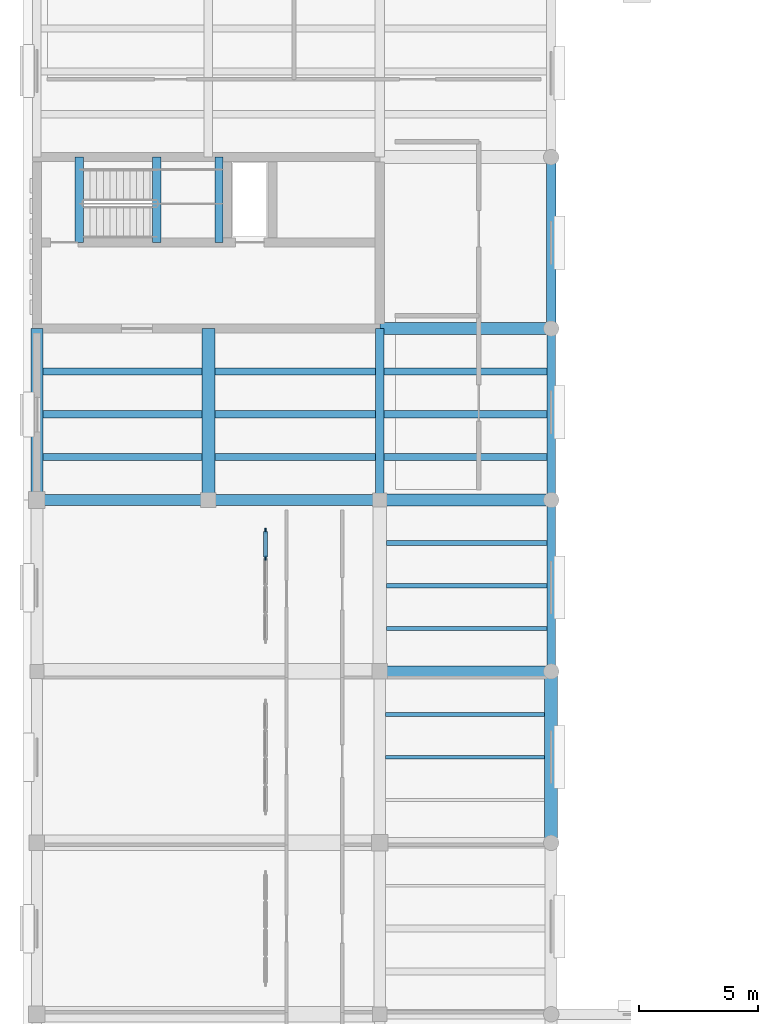
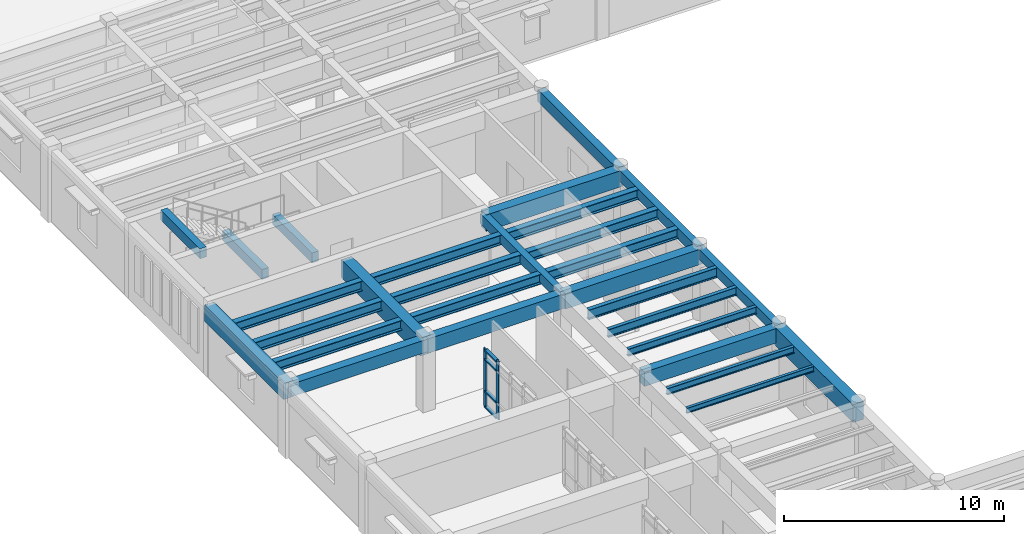
# One storey, part 5 of 66: 29 beams, 6 members, 1 element without a shape of its own.
"""IFC4 building model written with IfcOpenShell, lengths in metres."""

import ifcopenshell
import ifcopenshell.guid

model = None  # the IFC model being written
_history = None  # IfcOwnerHistory: only IFC2X3 demands one
_inside = {}  # id of a spatial element -> (the spatial element, [elements in it])
_under = {}  # id of a project, library or spatial element -> (it, [spatial elements below it])
_declared = {}  # id of a project -> (the project, [libraries it declares])
_typed = {}  # id of a type object -> (the type object, [elements of that type])
_made_of = {}  # id of a material, layer set ... -> (it, [elements and type objects made of it])


def new_model(schema):
    """Start an empty IFC model of exactly this schema.

    Asked for "IFC4X3", IfcOpenShell would pick the latest addendum, in which some entities
    have other attributes; the version numbers below select the first issue.
    IFC2X3 requires an IfcOwnerHistory on every rooted entity: one is made here for all.
    """
    global model, _history
    if schema == "IFC4X3":
        model = ifcopenshell.file(schema_version=(4, 3, 0, 0))
    else:
        model = ifcopenshell.file(schema=schema)
    _inside.clear()
    _under.clear()
    _declared.clear()
    _typed.clear()
    _made_of.clear()
    _history = None
    if model.schema == "IFC2X3":
        org = make("IfcOrganization", Name="unknown")
        user = make(
            "IfcPersonAndOrganization",
            ThePerson=make("IfcPerson", FamilyName="unknown"),
            TheOrganization=org,
        )
        app = make(
            "IfcApplication",
            ApplicationDeveloper=org,
            Version="unknown",
            ApplicationFullName="unknown",
            ApplicationIdentifier="unknown",
        )
        _history = make(
            "IfcOwnerHistory",
            OwningUser=user,
            OwningApplication=app,
            ChangeAction="ADDED",
            CreationDate=0,
        )
    return model


def make(cls, **values):
    """One entity of the class cls with the attributes given. An attribute that is None is left unset."""
    return model.create_entity(
        cls, **{name: value for name, value in values.items() if value is not None}
    )


def rooted(cls, **values):
    """An entity with a GlobalId (a new one), such as an element, a storey or a relation."""
    return make(cls, GlobalId=ifcopenshell.guid.new(), OwnerHistory=_history, **values)


def si_unit(unit_type, name, prefix=None):
    """IfcSIUnit, for example si_unit("LENGTHUNIT", "METRE", prefix="MILLI")."""
    return make("IfcSIUnit", UnitType=unit_type, Prefix=prefix, Name=name)


def assignment(units):
    """IfcUnitAssignment: the units of a project."""
    return None if units is None else make("IfcUnitAssignment", Units=units)


def point(xyz):
    """IfcCartesianPoint."""
    return None if xyz is None else make("IfcCartesianPoint", Coordinates=xyz)


def direction(xyz):
    """IfcDirection."""
    return None if xyz is None else make("IfcDirection", DirectionRatios=xyz)


def frame(location, z_axis=None, x_axis=None):
    """IfcAxis2Placement3D, a coordinate frame: its origin and axes. An axis left out is left unset."""
    return make(
        "IfcAxis2Placement3D",
        Location=point(location),
        Axis=direction(z_axis),
        RefDirection=direction(x_axis),
    )


def frame_2d(location, x_axis=None):
    """IfcAxis2Placement2D, a coordinate frame in the plane: its origin and x axis."""
    return make(
        "IfcAxis2Placement2D", Location=point(location), RefDirection=direction(x_axis)
    )


def origin():
    """The frame at (0, 0, 0) with its axes left unset."""
    return frame((0.0, 0.0, 0.0))


def origin_2d():
    """The frame at (0, 0) in the plane with its x axis left unset."""
    return frame_2d((0.0, 0.0))


def place(relative_to, where):
    """IfcLocalPlacement: puts the frame where relative to a parent placement (None: the world)."""
    return make(
        "IfcLocalPlacement", PlacementRelTo=relative_to, RelativePlacement=where
    )


def context(
    kind, dimensions, precision=None, world=None, true_north=None, identifier=None
):
    """IfcGeometricRepresentationContext, for example the 3D "Model" context."""
    return make(
        "IfcGeometricRepresentationContext",
        ContextIdentifier=identifier,
        ContextType=kind,
        CoordinateSpaceDimension=dimensions,
        Precision=precision,
        WorldCoordinateSystem=world,
        TrueNorth=true_north,
    )


def subcontext(parent, identifier, kind, view, scale=None):
    """IfcGeometricRepresentationSubContext, for example "Body" below "Model"."""
    return make(
        "IfcGeometricRepresentationSubContext",
        ContextIdentifier=identifier,
        ContextType=kind,
        ParentContext=parent,
        TargetScale=scale,
        TargetView=view,
    )


def project(units=None, contexts=None):
    """IfcProject with its units and contexts."""
    return rooted(
        "IfcProject",
        Name="project",
        RepresentationContexts=contexts,
        UnitsInContext=assignment(units),
    )


def spatial(cls, under=None, at=None, **own):
    """A site, building, storey or space (cls), placed at a placement, below another one or the project."""
    s = rooted(cls, ObjectPlacement=at, **own)
    if under is not None:
        _under.setdefault(under.id(), (under, []))[1].append(s)
    return s


def profile(cls, at=None, kind="AREA", **sizes):
    """A parametric profile (cls). Its sizes go by their IFC names, for example OverallWidth=200.0."""
    return make(cls, ProfileType=kind, Position=at, **sizes)


def rectangle(**sizes):
    """IfcRectangleProfileDef."""
    return profile("IfcRectangleProfileDef", **sizes)


def i_section(**sizes):
    """IfcIShapeProfileDef."""
    return profile("IfcIShapeProfileDef", **sizes)


def extrude(swept, where, along, depth):
    """IfcExtrudedAreaSolid: the profile swept, set in the frame where, extruded along a direction by depth."""
    return make(
        "IfcExtrudedAreaSolid",
        SweptArea=swept,
        Position=where,
        ExtrudedDirection=direction(along),
        Depth=depth,
    )


def shape(context_of_items, identifier, shape_type, items):
    """IfcShapeRepresentation: the items that make up one representation, for example the "Body"."""
    return make(
        "IfcShapeRepresentation",
        ContextOfItems=context_of_items,
        RepresentationIdentifier=identifier,
        RepresentationType=shape_type,
        Items=items,
    )


def material(Name=None, Category=None):
    """IfcMaterial."""
    return make("IfcMaterial", Name=Name, Category=Category)


def material_profile(
    of_material, cross_section, Name=None, Category=None, Priority=None
):
    """IfcMaterialProfile: a cross section and its material."""
    return make(
        "IfcMaterialProfile",
        Name=Name,
        Material=of_material,
        Profile=cross_section,
        Priority=Priority,
        Category=Category,
    )


def profile_set(profiles, Name=None, composite=None):
    """IfcMaterialProfileSet."""
    return make(
        "IfcMaterialProfileSet",
        Name=Name,
        MaterialProfiles=profiles,
        CompositeProfile=composite,
    )


def made_of(thing, what):
    """Note that an element or type object is made of a material, layer set ...; save() writes the relation."""
    if what is not None:
        _made_of.setdefault(what.id(), (what, []))[1].append(thing)
    return thing


def type_object(cls, material=None, **own):
    """A type object (cls), such as IfcWallType, which elements share."""
    return made_of(rooted(cls, **own), material)


def element(
    cls,
    number,
    at=None,
    inside=None,
    cuts=None,
    type_object=None,
    material=None,
    context=None,
    identifier="Body",
    shape_type=None,
    held_by="IfcProductDefinitionShape",
    body=None,
    shapes=None,
    **own,
):
    """One element of the class cls, such as IfcWall. Its Tag is "e" and its number.

    at: its placement. inside: the storey or other place that contains it. cuts: it is an
    opening in that element (IfcRelVoidsElement). A single representation is given by context,
    identifier, shape_type and body (its items); several are given by shapes. held_by: the class
    of the entity that holds the representations. save() writes the other relations.
    """
    e = rooted(cls, Tag="e%d" % number, ObjectPlacement=at, **own)
    if body is not None:
        shapes = [shape(context, identifier, shape_type, body)]
    if shapes is not None:
        e.Representation = make(held_by, Representations=shapes)
    if inside is not None:
        _inside.setdefault(inside.id(), (inside, []))[1].append(e)
    if cuts is not None:
        rooted(
            "IfcRelVoidsElement", RelatingBuildingElement=cuts, RelatedOpeningElement=e
        )
    if type_object is not None:
        _typed.setdefault(type_object.id(), (type_object, []))[1].append(e)
    return made_of(e, material)


def aggregate(whole, parts):
    """IfcRelAggregates: a whole, such as a stair, and the parts it consists of."""
    return rooted("IfcRelAggregates", RelatingObject=whole, RelatedObjects=parts)


def save(model, path):
    """Write the relations noted so far, then the file.

    IfcRelAggregates (storeys below a building ...), IfcRelContainedInSpatialStructure (elements
    in a storey), IfcRelDefinesByType, IfcRelAssociatesMaterial and IfcRelDeclares: one each for
    every whole, place, type object, material and project.
    """
    for whole, parts in _under.values():
        aggregate(whole, parts)
    for where, things in _inside.values():
        rooted(
            "IfcRelContainedInSpatialStructure",
            RelatedElements=things,
            RelatingStructure=where,
        )
    for kind, things in _typed.values():
        rooted("IfcRelDefinesByType", RelatedObjects=things, RelatingType=kind)
    for what, things in _made_of.values():
        rooted("IfcRelAssociatesMaterial", RelatedObjects=things, RelatingMaterial=what)
    for by, libraries in _declared.values():
        rooted("IfcRelDeclares", RelatingContext=by, RelatedDefinitions=libraries)
    model.write(path)


model = new_model("IFC4")

# Units and contexts
model_context = context("Model", 3, precision=1e-05, world=origin(), true_north=direction((0.0, 1.0)))
body_context = subcontext(model_context, "Body", "Model", "MODEL_VIEW")
ifc_project = project(units=[si_unit("LENGTHUNIT", "METRE"), si_unit("AREAUNIT", "SQUARE_METRE"), si_unit("VOLUMEUNIT", "CUBIC_METRE"), si_unit("PLANEANGLEUNIT", "RADIAN"), si_unit("MASSUNIT", "GRAM", prefix="KILO")], contexts=[model_context])

# Site, building, storey
site_placement = place(None, origin())
site = spatial("IfcSite", under=ifc_project, at=site_placement, CompositionType="ELEMENT")
building_placement = place(site_placement, origin())
building = spatial("IfcBuilding", under=site, at=building_placement, Name="Mithqara Police Headquarters", CompositionType="ELEMENT")
storey_placement = place(building_placement, frame((0.0, 0.0, 9.60009765625)))
storey = spatial("IfcBuildingStorey", under=building, at=storey_placement, Name="L02", CompositionType="ELEMENT", Elevation=9.60009765625)

# Beams
ifc_material_1 = material(Name="Steel S355JR", Category="steel")
ifc_material_profile_1 = material_profile(ifc_material_1, i_section(OverallWidth=0.300048828125, OverallDepth=0.550048828125, WebThickness=0.014892578125, FlangeThickness=0.029052734375, FilletRadius=0.027099609375, at=origin_2d()), Name="HEB 550")
ifc_profile_set_1 = profile_set([ifc_material_profile_1], Name="Steel S355JR")
beam_type_1 = type_object("IfcBeamType", Name="BEAM HEB550", PredefinedType="BEAM", material=ifc_profile_set_1)
for number, where, z_axis, x_axis, name in (
    (1, (8.050048828125, 58.800048828125, 3.664794921875), (1.0, 0.0, 0.0), (0.0, 1.0, 0.0), "L02 Composite Steel Joist 2-3/J.1"),
    (2, (8.050048828125, 60.60009765625, 3.664794921875), (1.0, 0.0, 0.0), (0.0, 1.0, 0.0), "L02 Composite Steel Joist 2-3/J.2"),
    (3, (8.050048828125, 62.39990234375, 3.664794921875), (1.0, 0.0, 0.0), (0.0, 1.0, 0.0), "L02 Composite Steel Joist 2-3/J.3"),
):
    element("IfcBeam", number, at=place(storey_placement, frame(where, z_axis=z_axis, x_axis=x_axis)), inside=storey, type_object=beam_type_1, Name=name, PredefinedType="BEAM", context=body_context, shape_type="SweptSolid", body=[
        extrude(i_section(OverallWidth=0.300048828125, OverallDepth=0.550048828125, WebThickness=0.014892578125, FlangeThickness=0.029052734375, FilletRadius=0.027099609375, at=origin_2d()), origin(), (0.0, 0.0, 1.0), 6.675048828125),
    ])
for number, where, z_axis, x_axis, name in (
    (4, (15.27490234375, 58.800048828125, 3.664794921875), (1.0, 0.0, 0.0), (0.0, 1.0, 0.0), "L02 Composite Steel Joist 3-4/J.1"),
    (5, (15.27490234375, 60.60009765625, 3.664794921875), (1.0, 0.0, 0.0), (0.0, 1.0, 0.0), "L02 Composite Steel Joist 3-4/J.2"),
    (6, (15.27490234375, 62.39990234375, 3.664794921875), (1.0, 0.0, 0.0), (0.0, 1.0, 0.0), "L02 Composite Steel Joist 3-4/J.3"),
):
    element("IfcBeam", number, at=place(storey_placement, frame(where, z_axis=z_axis, x_axis=x_axis)), inside=storey, type_object=beam_type_1, Name=name, PredefinedType="BEAM", context=body_context, shape_type="SweptSolid", body=[
        extrude(i_section(OverallWidth=0.300048828125, OverallDepth=0.550048828125, WebThickness=0.014892578125, FlangeThickness=0.029052734375, FilletRadius=0.027099609375, at=origin_2d()), origin(), (0.0, 0.0, 1.0), 6.75),
    ])
for number, where, z_axis, x_axis, name in (
    (7, (22.375, 58.800048828125, 3.664794921875), (1.0, 0.0, 0.0), (0.0, 1.0, 0.0), "L02 Composite Steel Joist 4-5/J.1"),
    (8, (22.375, 60.60009765625, 3.664794921875), (1.0, 0.0, 0.0), (0.0, 1.0, 0.0), "L02 Composite Steel Joist 4-5/J.2"),
    (9, (22.375, 62.39990234375, 3.664794921875), (1.0, 0.0, 0.0), (0.0, 1.0, 0.0), "L02 Composite Steel Joist 4-5/J.3"),
):
    element("IfcBeam", number, at=place(storey_placement, frame(where, z_axis=z_axis, x_axis=x_axis)), inside=storey, type_object=beam_type_1, Name=name, PredefinedType="BEAM", context=body_context, shape_type="SweptSolid", body=[
        extrude(i_section(OverallWidth=0.300048828125, OverallDepth=0.550048828125, WebThickness=0.014892578125, FlangeThickness=0.029052734375, FilletRadius=0.027099609375, at=origin_2d()), origin(), (0.0, 0.0, 1.0), 6.85009765625),
    ])
ifc_material_2 = material(Name="Concrete C40/50", Category="concrete")
ifc_material_profile_2 = material_profile(ifc_material_2, rectangle(XDim=0.35009765625, YDim=0.550048828125, at=origin_2d()), Name="RC 350x550")
ifc_profile_set_2 = profile_set([ifc_material_profile_2], Name="Concrete C40/50")
beam_type_2 = type_object("IfcBeamType", Name="BEAM RC350X550", PredefinedType="BEAM", material=ifc_profile_set_2)
for number, where, z_axis, x_axis, name in (
    (10, (22.199951171875, 57.0, 3.664794921875), (0.0, 1.0, 0.0), (-1.0, 0.0, 0.0), "L02 Girder 4/J-K"),
    (11, (29.39990234375, 49.800048828125, 3.664794921875), (0.0, 1.0, 0.0), (-1.0, 0.0, 0.0), "L02 Girder 5/H-J"),
):
    element("IfcBeam", number, at=place(storey_placement, frame(where, z_axis=z_axis, x_axis=x_axis)), inside=storey, type_object=beam_type_2, Name=name, PredefinedType="BEAM", context=body_context, shape_type="SweptSolid", body=[
        extrude(rectangle(XDim=0.35009765625, YDim=0.550048828125, at=origin_2d()), origin(), (0.0, 0.0, 1.0), 7.199951171875),
    ])
for number, where, z_axis, x_axis, name in (
    (12, (12.830078125, 67.820068359375, 1.635009765625), (0.0, 1.0, 0.0), (-1.0, 0.0, 0.0), "L02 ST-03 Half-Landing Bearer LF"),
    (13, (15.449951171875, 67.820068359375, 1.635009765625), (0.0, 1.0, 0.0), (-1.0, 0.0, 0.0), "L02 ST-03 Half-Landing Bearer LB"),
    (14, (9.576904296875, 67.820068359375, 3.9248046875), (0.0, 1.0, 0.0), (-1.0, 0.0, 0.0), "L02 ST-03 Stairwell Trimmer Beam"),
):
    element("IfcBeam", number, at=place(storey_placement, frame(where, z_axis=z_axis, x_axis=x_axis)), inside=storey, type_object=beam_type_2, Name=name, PredefinedType="BEAM", context=body_context, shape_type="SweptSolid", body=[
        extrude(rectangle(XDim=0.35009765625, YDim=0.550048828125, at=origin_2d()), origin(), (0.0, 0.0, 1.0), 3.579833984375),
    ])
ifc_material_profile_3 = material_profile(ifc_material_2, rectangle(XDim=0.35009765625, YDim=0.60009765625, at=origin_2d()), Name="RC 350x600")
ifc_profile_set_3 = profile_set([ifc_material_profile_3], Name="Concrete C40/50")
beam_type_3 = type_object("IfcBeamType", Name="BEAM RC350X600", PredefinedType="BEAM", material=ifc_profile_set_3)
beam_1_placement = place(storey_placement, frame((29.39990234375, 57.0, 3.639892578125), z_axis=(0.0, 1.0, 0.0), x_axis=(-1.0, 0.0, 0.0)))
element("IfcBeam", 15, at=beam_1_placement, inside=storey, type_object=beam_type_3, Name="L02 Girder 5/J-K", PredefinedType="BEAM", context=body_context, shape_type="SweptSolid", body=[
    extrude(rectangle(XDim=0.35009765625, YDim=0.60009765625, at=origin_2d()), origin(), (0.0, 0.0, 1.0), 7.199951171875),
])
ifc_material_profile_4 = material_profile(ifc_material_2, rectangle(XDim=0.39990234375, YDim=0.64990234375, at=origin_2d()), Name="RC 400x650")
ifc_profile_set_4 = profile_set([ifc_material_profile_4], Name="Concrete C40/50")
beam_type_4 = type_object("IfcBeamType", Name="BEAM RC400X650", PredefinedType="BEAM", material=ifc_profile_set_4)
beam_2_placement = place(storey_placement, frame((29.39990234375, 64.199951171875, 3.614990234375), z_axis=(0.0, 1.0, 0.0), x_axis=(-1.0, 0.0, 0.0)))
element("IfcBeam", 16, at=beam_2_placement, inside=storey, type_object=beam_type_4, Name="L02 Girder 5/K-L", PredefinedType="BEAM", context=body_context, shape_type="SweptSolid", body=[
    extrude(rectangle(XDim=0.39990234375, YDim=0.64990234375, at=origin_2d()), origin(), (0.0, 0.0, 1.0), 7.199951171875),
])
ifc_material_profile_5 = material_profile(ifc_material_2, rectangle(XDim=0.449951171875, YDim=0.699951171875, at=origin_2d()), Name="RC 450x700")
ifc_profile_set_5 = profile_set([ifc_material_profile_5], Name="Concrete C40/50")
beam_type_5 = type_object("IfcBeamType", Name="BEAM RC450X700", PredefinedType="BEAM", material=ifc_profile_set_5)
beam_3_placement = place(storey_placement, frame((7.800048828125, 57.0, 3.58984375), z_axis=(1.0, 0.0, 0.0), x_axis=(0.0, 1.0, 0.0)))
element("IfcBeam", 17, at=beam_3_placement, inside=storey, type_object=beam_type_5, Name="L02 Girder 2-3/J", PredefinedType="BEAM", context=body_context, shape_type="SweptSolid", body=[
    extrude(rectangle(XDim=0.449951171875, YDim=0.699951171875, at=origin_2d()), origin(), (0.0, 0.0, 1.0), 7.199951171875),
])
ifc_material_profile_6 = material_profile(ifc_material_2, rectangle(XDim=0.449951171875, YDim=0.800048828125, at=origin_2d()), Name="RC 450x800")
ifc_profile_set_6 = profile_set([ifc_material_profile_6], Name="Concrete C40/50")
beam_type_6 = type_object("IfcBeamType", Name="BEAM RC450X800", PredefinedType="BEAM", material=ifc_profile_set_6)
for number, where, z_axis, x_axis, name in (
    (18, (15.0, 57.0, 3.539794921875), (1.0, 0.0, 0.0), (0.0, 1.0, 0.0), "L02 Girder 3-4/J"),
    (19, (22.199951171875, 49.800048828125, 3.539794921875), (1.0, 0.0, 0.0), (0.0, 1.0, 0.0), "L02 Girder 4-5/H"),
):
    element("IfcBeam", number, at=place(storey_placement, frame(where, z_axis=z_axis, x_axis=x_axis)), inside=storey, type_object=beam_type_6, Name=name, PredefinedType="BEAM", context=body_context, shape_type="SweptSolid", body=[
        extrude(rectangle(XDim=0.449951171875, YDim=0.800048828125, at=origin_2d()), origin(), (0.0, 0.0, 1.0), 7.199951171875),
    ])
ifc_material_profile_7 = material_profile(ifc_material_2, rectangle(XDim=0.5, YDim=0.85009765625, at=origin_2d()), Name="RC 500x850")
ifc_profile_set_7 = profile_set([ifc_material_profile_7], Name="Concrete C40/50")
beam_type_7 = type_object("IfcBeamType", Name="BEAM RC500X850", PredefinedType="BEAM", material=ifc_profile_set_7)
beam_4_placement = place(storey_placement, frame((22.199951171875, 57.0, 3.514892578125), z_axis=(1.0, 0.0, 0.0), x_axis=(0.0, 1.0, 0.0)))
element("IfcBeam", 20, at=beam_4_placement, inside=storey, type_object=beam_type_7, Name="L02 Girder 4-5/J", PredefinedType="BEAM", context=body_context, shape_type="SweptSolid", body=[
    extrude(rectangle(XDim=0.5, YDim=0.85009765625, at=origin_2d()), origin(), (0.0, 0.0, 1.0), 7.199951171875),
])
ifc_material_3 = material(Name="Concrete C50/60", Category="concrete")
ifc_material_profile_8 = material_profile(ifc_material_3, rectangle(XDim=0.5, YDim=0.89990234375, at=origin_2d()), Name="RC 500x900")
ifc_profile_set_8 = profile_set([ifc_material_profile_8], Name="Concrete C50/60")
beam_type_8 = type_object("IfcBeamType", Name="BEAM RC500X900", PredefinedType="BEAM", material=ifc_profile_set_8)
for number, where, z_axis, x_axis, name in (
    (21, (7.800048828125, 57.0, 3.489990234375), (0.0, 1.0, 0.0), (-1.0, 0.0, 0.0), "L02 Girder 2/J-K"),
    (22, (22.199951171875, 64.199951171875, 3.489990234375), (1.0, 0.0, 0.0), (0.0, 1.0, 0.0), "L02 Girder 4-5/K"),
):
    element("IfcBeam", number, at=place(storey_placement, frame(where, z_axis=z_axis, x_axis=x_axis)), inside=storey, type_object=beam_type_8, Name=name, PredefinedType="BEAM", context=body_context, shape_type="SweptSolid", body=[
        extrude(rectangle(XDim=0.5, YDim=0.89990234375, at=origin_2d()), origin(), (0.0, 0.0, 1.0), 7.199951171875),
    ])
ifc_material_profile_9 = material_profile(ifc_material_3, rectangle(XDim=0.550048828125, YDim=1.0, at=origin_2d()), Name="RC 550x1000")
ifc_profile_set_9 = profile_set([ifc_material_profile_9], Name="Concrete C50/60")
beam_type_9 = type_object("IfcBeamType", Name="BEAM RC550X1000", PredefinedType="BEAM", material=ifc_profile_set_9)
for number, where, z_axis, x_axis, name in (
    (23, (15.0, 57.0, 3.43994140625), (0.0, 1.0, 0.0), (-1.0, 0.0, 0.0), "L02 Girder 3/J-K"),
    (24, (29.39990234375, 42.60009765625, 3.43994140625), (0.0, 1.0, 0.0), (-1.0, 0.0, 0.0), "L02 Girder 5/G-H"),
):
    element("IfcBeam", number, at=place(storey_placement, frame(where, z_axis=z_axis, x_axis=x_axis)), inside=storey, type_object=beam_type_9, Name=name, PredefinedType="BEAM", context=body_context, shape_type="SweptSolid", body=[
        extrude(rectangle(XDim=0.550048828125, YDim=1.0, at=origin_2d()), origin(), (0.0, 0.0, 1.0), 7.199951171875),
    ])

# Curtain wall, members
ifc_material_4 = material(Name="Bronze anodised aluminium 6063-T6", Category="aluminium")
curtain_wall_type = type_object("IfcCurtainWallType", Name="CURTAIN WALL 4700X3220", PredefinedType="USERDEFINED", material=ifc_material_4)
curtain_wall_placement = place(storey_placement, origin())
curtain_wall = element("IfcCurtainWall", 25, at=curtain_wall_placement, inside=storey, type_object=curtain_wall_type, Name="L02 Unitised Glazing CW-16 (CW-INT-L02-X02-Y07-0)", ObjectType="UNITISED GLAZING", PredefinedType="USERDEFINED")
ifc_material_profile_10 = material_profile(ifc_material_4, rectangle(XDim=0.074951171875, YDim=0.219970703125, at=origin_2d()), Name="CWM 75x220")
ifc_profile_set_10 = profile_set([ifc_material_profile_10], Name="Bronze anodised aluminium 6063-T6")
member_type_1 = type_object("IfcMemberType", Name="CWMULLION 75X220", PredefinedType="MULLION", material=ifc_profile_set_10)
member_1_placement = place(storey_placement, frame((17.39990234375, 54.574951171875, 0.0), z_axis=(0.0, 0.0, 1.0), x_axis=(-1.0, 0.0, 0.0)))
member_1 = element("IfcMember", 26, at=member_1_placement, type_object=member_type_1, Name="CW-16 mullion 4", PredefinedType="MULLION", context=body_context, shape_type="SweptSolid", body=[
    extrude(rectangle(XDim=0.074951171875, YDim=0.219970703125, at=origin_2d()), origin(), (0.0, 0.0, 1.0), 3.219970703125),
])
member_2_placement = place(storey_placement, frame((17.39990234375, 55.71240234375, 0.0), z_axis=(0.0, 0.0, 1.0), x_axis=(-1.0, 0.0, 0.0)))
member_2 = element("IfcMember", 27, at=member_2_placement, type_object=member_type_1, Name="CW-16 mullion 5", PredefinedType="MULLION", context=body_context, shape_type="SweptSolid", body=[
    extrude(rectangle(XDim=0.074951171875, YDim=0.219970703125, at=origin_2d()), origin(), (0.0, 0.0, 1.0), 3.219970703125),
])
ifc_material_profile_11 = material_profile(ifc_material_4, rectangle(XDim=0.179931640625, YDim=0.074951171875, at=origin_2d()), Name="CWT 180x75")
ifc_profile_set_11 = profile_set([ifc_material_profile_11], Name="Bronze anodised aluminium 6063-T6")
member_type_2 = type_object("IfcMemberType", Name="CWTRANSOM 180X75", PredefinedType="USERDEFINED", material=ifc_profile_set_11)
member_3_placement = place(storey_placement, frame((17.39990234375, 54.612548828125, 0.037353515625), z_axis=(0.0, 1.0, 0.0), x_axis=(-1.0, 0.0, 0.0)))
member_3 = element("IfcMember", 28, at=member_3_placement, type_object=member_type_2, Name="CW-16 transom 4.1", ObjectType="TRANSOM", PredefinedType="USERDEFINED", context=body_context, shape_type="SweptSolid", body=[
    extrude(rectangle(XDim=0.179931640625, YDim=0.074951171875, at=origin_2d()), origin(), (0.0, 0.0, 1.0), 1.0625),
])
member_4_placement = place(storey_placement, frame((17.39990234375, 54.612548828125, 0.89990234375), z_axis=(0.0, 1.0, 0.0), x_axis=(-1.0, 0.0, 0.0)))
member_4 = element("IfcMember", 29, at=member_4_placement, type_object=member_type_2, Name="CW-16 transom 4.2", ObjectType="TRANSOM", PredefinedType="USERDEFINED", context=body_context, shape_type="SweptSolid", body=[
    extrude(rectangle(XDim=0.179931640625, YDim=0.074951171875, at=origin_2d()), origin(), (0.0, 0.0, 1.0), 1.0625),
])
member_5_placement = place(storey_placement, frame((17.39990234375, 54.612548828125, 2.669921875), z_axis=(0.0, 1.0, 0.0), x_axis=(-1.0, 0.0, 0.0)))
member_5 = element("IfcMember", 30, at=member_5_placement, type_object=member_type_2, Name="CW-16 transom 4.3", ObjectType="TRANSOM", PredefinedType="USERDEFINED", context=body_context, shape_type="SweptSolid", body=[
    extrude(rectangle(XDim=0.179931640625, YDim=0.074951171875, at=origin_2d()), origin(), (0.0, 0.0, 1.0), 1.0625),
])
member_6_placement = place(storey_placement, frame((17.39990234375, 54.612548828125, 3.182373046875), z_axis=(0.0, 1.0, 0.0), x_axis=(-1.0, 0.0, 0.0)))
member_6 = element("IfcMember", 31, at=member_6_placement, type_object=member_type_2, Name="CW-16 transom 4.4", ObjectType="TRANSOM", PredefinedType="USERDEFINED", context=body_context, shape_type="SweptSolid", body=[
    extrude(rectangle(XDim=0.179931640625, YDim=0.074951171875, at=origin_2d()), origin(), (0.0, 0.0, 1.0), 1.0625),
])
aggregate(curtain_wall, [member_1, member_2, member_3, member_4, member_5, member_6])

# Beams
ifc_material_profile_12 = material_profile(ifc_material_1, i_section(OverallWidth=0.14990234375, OverallDepth=0.300048828125, WebThickness=0.007080078125, FlangeThickness=0.0107421875, FilletRadius=0.014892578125, at=origin_2d()), Name="IPE 300")
ifc_profile_set_12 = profile_set([ifc_material_profile_12], Name="Steel S355JR")
beam_type_10 = type_object("IfcBeamType", Name="JOIST IPE300", PredefinedType="JOIST", material=ifc_profile_set_12)
beam_5_placement = place(storey_placement, frame((22.449951171875, 46.199951171875, 3.789794921875), z_axis=(1.0, 0.0, 0.0), x_axis=(0.0, 1.0, 0.0)))
element("IfcBeam", 32, at=beam_5_placement, inside=storey, type_object=beam_type_10, Name="L02 Composite Steel Joist 4-5/G.2", PredefinedType="JOIST", context=body_context, shape_type="SweptSolid", body=[
    extrude(i_section(OverallWidth=0.14990234375, OverallDepth=0.300048828125, WebThickness=0.007080078125, FlangeThickness=0.0107421875, FilletRadius=0.014892578125, at=origin_2d()), origin(), (0.0, 0.0, 1.0), 6.675048828125),
])
ifc_material_profile_13 = material_profile(ifc_material_1, i_section(OverallWidth=0.169921875, OverallDepth=0.360107421875, WebThickness=0.008056640625, FlangeThickness=0.0126953125, FilletRadius=0.01806640625, at=origin_2d()), Name="IPE 360")
ifc_profile_set_13 = profile_set([ifc_material_profile_13], Name="Steel S355JR")
beam_type_11 = type_object("IfcBeamType", Name="JOIST IPE360", PredefinedType="JOIST", material=ifc_profile_set_13)
beam_6_placement = place(storey_placement, frame((22.449951171875, 48.0, 3.760009765625), z_axis=(1.0, 0.0, 0.0), x_axis=(0.0, 1.0, 0.0)))
element("IfcBeam", 33, at=beam_6_placement, inside=storey, type_object=beam_type_11, Name="L02 Composite Steel Joist 4-5/G.3", PredefinedType="JOIST", context=body_context, shape_type="SweptSolid", body=[
    extrude(i_section(OverallWidth=0.169921875, OverallDepth=0.360107421875, WebThickness=0.008056640625, FlangeThickness=0.0126953125, FilletRadius=0.01806640625, at=origin_2d()), origin(), (0.0, 0.0, 1.0), 6.675048828125),
])
ifc_material_profile_14 = material_profile(ifc_material_1, i_section(OverallWidth=0.179931640625, OverallDepth=0.39990234375, WebThickness=0.008544921875, FlangeThickness=0.013427734375, FilletRadius=0.02099609375, at=origin_2d()), Name="IPE 400")
ifc_profile_set_14 = profile_set([ifc_material_profile_14], Name="Steel S355JR")
beam_type_12 = type_object("IfcBeamType", Name="JOIST IPE400", PredefinedType="JOIST", material=ifc_profile_set_14)
beam_7_placement = place(storey_placement, frame((22.47509765625, 51.60009765625, 3.739990234375), z_axis=(1.0, 0.0, 0.0), x_axis=(0.0, 1.0, 0.0)))
element("IfcBeam", 34, at=beam_7_placement, inside=storey, type_object=beam_type_12, Name="L02 Composite Steel Joist 4-5/H.1", PredefinedType="JOIST", context=body_context, shape_type="SweptSolid", body=[
    extrude(i_section(OverallWidth=0.179931640625, OverallDepth=0.39990234375, WebThickness=0.008544921875, FlangeThickness=0.013427734375, FilletRadius=0.02099609375, at=origin_2d()), origin(), (0.0, 0.0, 1.0), 6.75),
])
ifc_material_profile_15 = material_profile(ifc_material_1, i_section(OverallWidth=0.18994140625, OverallDepth=0.449951171875, WebThickness=0.009521484375, FlangeThickness=0.0146484375, FilletRadius=0.02099609375, at=origin_2d()), Name="IPE 450")
ifc_profile_set_15 = profile_set([ifc_material_profile_15], Name="Steel S355JR")
beam_type_13 = type_object("IfcBeamType", Name="JOIST IPE450", PredefinedType="JOIST", material=ifc_profile_set_15)
beam_8_placement = place(storey_placement, frame((22.47509765625, 53.39990234375, 3.71484375), z_axis=(1.0, 0.0, 0.0), x_axis=(0.0, 1.0, 0.0)))
element("IfcBeam", 35, at=beam_8_placement, inside=storey, type_object=beam_type_13, Name="L02 Composite Steel Joist 4-5/H.2", PredefinedType="JOIST", context=body_context, shape_type="SweptSolid", body=[
    extrude(i_section(OverallWidth=0.18994140625, OverallDepth=0.449951171875, WebThickness=0.009521484375, FlangeThickness=0.0146484375, FilletRadius=0.02099609375, at=origin_2d()), origin(), (0.0, 0.0, 1.0), 6.75),
])
ifc_material_profile_16 = material_profile(ifc_material_1, i_section(OverallWidth=0.2099609375, OverallDepth=0.550048828125, WebThickness=0.010986328125, FlangeThickness=0.01708984375, FilletRadius=0.02392578125, at=origin_2d()), Name="IPE 550")
ifc_profile_set_16 = profile_set([ifc_material_profile_16], Name="Steel S355JR")
beam_type_14 = type_object("IfcBeamType", Name="JOIST IPE550", PredefinedType="JOIST", material=ifc_profile_set_16)
beam_9_placement = place(storey_placement, frame((22.47509765625, 55.199951171875, 3.664794921875), z_axis=(1.0, 0.0, 0.0), x_axis=(0.0, 1.0, 0.0)))
element("IfcBeam", 36, at=beam_9_placement, inside=storey, type_object=beam_type_14, Name="L02 Composite Steel Joist 4-5/H.3", PredefinedType="JOIST", context=body_context, shape_type="SweptSolid", body=[
    extrude(i_section(OverallWidth=0.2099609375, OverallDepth=0.550048828125, WebThickness=0.010986328125, FlangeThickness=0.01708984375, FilletRadius=0.02392578125, at=origin_2d()), origin(), (0.0, 0.0, 1.0), 6.75),
])

save(model, "model.ifc")
